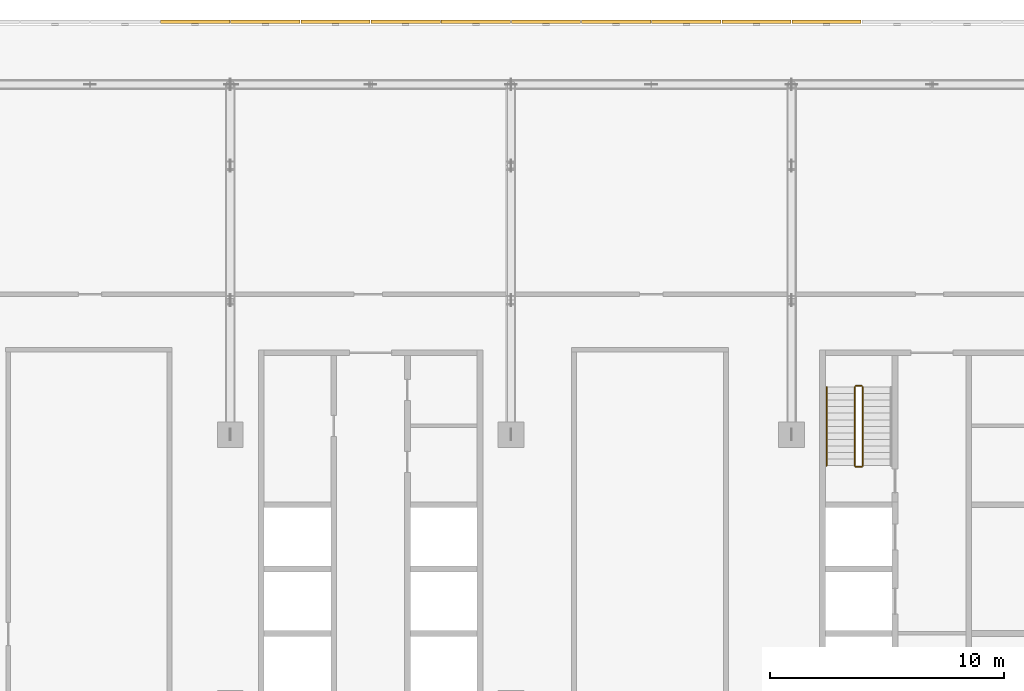
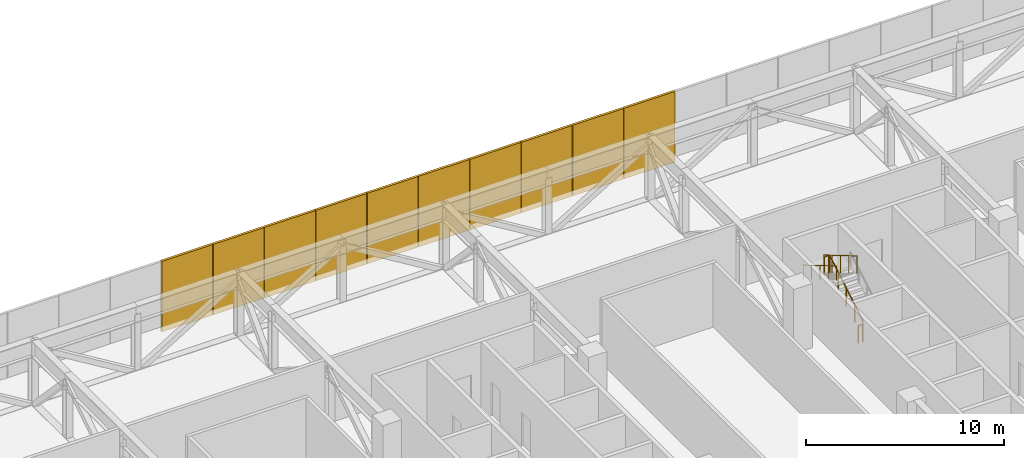
# One storey, part 26 of 28: 10 coverings, 5 railings.
"""IFC4 building model written with IfcOpenShell, lengths in metres."""

from ifc_helpers import new_model, si_unit, direction, frame, origin, origin_2d, place, context, subcontext, project, spatial, rectangle, circle, extrude, material, type_object, element, save


model = new_model("IFC4")

# Units and contexts
model_context = context("Model", 3, precision=1e-05, world=origin(), true_north=direction((0.0, 1.0)))
body_context = subcontext(model_context, "Body", "Model", "MODEL_VIEW")
ifc_project = project(units=[si_unit("LENGTHUNIT", "METRE"), si_unit("AREAUNIT", "SQUARE_METRE"), si_unit("VOLUMEUNIT", "CUBIC_METRE"), si_unit("PLANEANGLEUNIT", "RADIAN"), si_unit("MASSUNIT", "GRAM", prefix="KILO")], contexts=[model_context])

# Site, building, storey
site_placement = place(None, origin())
site = spatial("IfcSite", under=ifc_project, at=site_placement, CompositionType="ELEMENT")
building_placement = place(site_placement, origin())
building = spatial("IfcBuilding", under=site, at=building_placement, Name="Mahtab Terrace Research Tower", CompositionType="ELEMENT")
storey_placement = place(building_placement, frame((0.0, 0.0, 224.300048828125)))
storey = spatial("IfcBuildingStorey", under=building, at=storey_placement, Name="L54", CompositionType="ELEMENT", Elevation=224.300048828125)

# Coverings
ifc_material_1 = material(Name="Natural anodised aluminium", Category="aluminium")
covering_type = type_object("IfcCoveringType", Name="Plant storey louvre bay", PredefinedType="CLADDING", material=ifc_material_1)
for number, where, z_axis, x_axis, name in (
    (1, (19.5, 29.159912109375, -0.39990234375), (0.0, 0.0, 1.0), (-1.0, 0.0, 0.0), "Louvre bay L54 16"),
    (2, (16.5, 29.159912109375, -0.39990234375), (0.0, 0.0, 1.0), (-1.0, 0.0, 0.0), "Louvre bay L54 17"),
    (3, (13.5, 29.159912109375, -0.39990234375), (0.0, 0.0, 1.0), (-1.0, 0.0, 0.0), "Louvre bay L54 18"),
    (4, (10.5, 29.159912109375, -0.39990234375), (0.0, 0.0, 1.0), (-1.0, 0.0, 0.0), "Louvre bay L54 19"),
    (5, (7.5, 29.159912109375, -0.39990234375), (0.0, 0.0, 1.0), (-1.0, 0.0, 0.0), "Louvre bay L54 20"),
    (6, (4.5, 29.159912109375, -0.39990234375), (0.0, 0.0, 1.0), (-1.0, 0.0, 0.0), "Louvre bay L54 21"),
    (7, (1.5, 29.159912109375, -0.39990234375), (0.0, 0.0, 1.0), (-1.0, 0.0, 0.0), "Louvre bay L54 22"),
    (8, (-1.5, 29.159912109375, -0.39990234375), (0.0, 0.0, 1.0), (-1.0, 0.0, 0.0), "Louvre bay L54 23"),
    (9, (-4.5, 29.159912109375, -0.39990234375), (0.0, 0.0, 1.0), (-1.0, 0.0, 0.0), "Louvre bay L54 24"),
    (10, (-7.5, 29.159912109375, -0.39990234375), (0.0, 0.0, 1.0), (-1.0, 0.0, 0.0), "Louvre bay L54 25"),
):
    element("IfcCovering", number, at=place(storey_placement, frame(where, z_axis=z_axis, x_axis=x_axis)), inside=storey, type_object=covering_type, Name=name, PredefinedType="CLADDING", context=body_context, shape_type="SweptSolid", body=[
        extrude(rectangle(XDim=2.9599609375, YDim=0.139892578125, at=origin_2d()), origin(), (0.0, 0.0, 1.0), 4.360107421875),
    ])

# Railings
ifc_material_2 = material(Name="Stainless steel AISI 304", Category="steel")
railing_type_1 = type_object("IfcRailingType", Name="Stair guard 1100", PredefinedType="GUARDRAIL", material=ifc_material_2)
railing_1_placement = place(storey_placement, frame((21.050048828125, 10.175048828125, 0.165283203125)))
element("IfcRailing", 11, at=railing_1_placement, inside=storey, type_object=railing_type_1, Name="L54 ST3 stair guard 1", PredefinedType="GUARDRAIL", context=body_context, shape_type="SweptSolid", body=[
    extrude(circle(Radius=0.02392578125, at=origin_2d()), frame((0.0, 0.0, 1.076171875), z_axis=(0.0, 0.861011212953, 0.508585972249), x_axis=(-1.0, 0.0, 0.0)), (0.0, 0.0, 1.0), 3.90234375),
    extrude(circle(Radius=0.02099609375, at=origin_2d()), origin(), (0.0, 0.0, 1.0), 1.052001953125),
    extrude(circle(Radius=0.02099609375, at=origin_2d()), frame((0.0, 0.83984375, 0.49609375)), (0.0, 0.0, 1.0), 1.052001953125),
    extrude(circle(Radius=0.02099609375, at=origin_2d()), frame((0.0, 1.679931640625, 0.9921875)), (0.0, 0.0, 1.0), 1.052001953125),
    extrude(circle(Radius=0.02099609375, at=origin_2d()), frame((0.0, 2.52001953125, 1.488525390625)), (0.0, 0.0, 1.0), 1.052001953125),
    extrude(circle(Radius=0.02099609375, at=origin_2d()), frame((0.0, 3.35986328125, 1.984619140625)), (0.0, 0.0, 1.0), 1.052001953125),
])
railing_2_placement = place(storey_placement, frame((21.0, 13.5849609375, 2.14990234375)))
element("IfcRailing", 12, at=railing_2_placement, inside=storey, type_object=railing_type_1, Name="L54 ST3 stair guard 2", PredefinedType="GUARDRAIL", context=body_context, shape_type="SweptSolid", body=[
    extrude(circle(Radius=0.02392578125, at=origin_2d()), frame((0.0, 0.0, 1.076171875), z_axis=(-1.0, 0.0, 0.0), x_axis=(0.0, -1.0, 0.0)), (0.0, 0.0, 1.0), 0.25),
    extrude(circle(Radius=0.02099609375, at=origin_2d()), origin(), (0.0, 0.0, 1.0), 1.052001953125),
    extrude(circle(Radius=0.02099609375, at=origin_2d()), frame((-0.25, 0.0, 0.0)), (0.0, 0.0, 1.0), 1.052001953125),
])
railing_3_placement = place(storey_placement, frame((20.699951171875, 13.534912109375, 2.3154296875)))
element("IfcRailing", 13, at=railing_3_placement, inside=storey, type_object=railing_type_1, Name="L54 ST3 stair guard 3", PredefinedType="GUARDRAIL", context=body_context, shape_type="SweptSolid", body=[
    extrude(circle(Radius=0.02392578125, at=origin_2d()), frame((0.0, 0.0, 1.076171875), z_axis=(0.0, -0.861011212953, 0.508585972249), x_axis=(1.0, 0.0, 0.0)), (0.0, 0.0, 1.0), 3.90234375),
    extrude(circle(Radius=0.02099609375, at=origin_2d()), origin(), (0.0, 0.0, 1.0), 1.052001953125),
    extrude(circle(Radius=0.02099609375, at=origin_2d()), frame((0.0, -0.83984375, 0.49609375)), (0.0, 0.0, 1.0), 1.052001953125),
    extrude(circle(Radius=0.02099609375, at=origin_2d()), frame((0.0, -1.679931640625, 0.9921875)), (0.0, 0.0, 1.0), 1.052001953125),
    extrude(circle(Radius=0.02099609375, at=origin_2d()), frame((0.0, -2.52001953125, 1.488525390625)), (0.0, 0.0, 1.0), 1.052001953125),
    extrude(circle(Radius=0.02099609375, at=origin_2d()), frame((0.0, -3.35986328125, 1.984619140625)), (0.0, 0.0, 1.0), 1.052001953125),
])
railing_4_placement = place(storey_placement, frame((21.0, 10.125, 0.0)))
element("IfcRailing", 14, at=railing_4_placement, inside=storey, type_object=railing_type_1, Name="L54 ST3 stair guard 4", PredefinedType="GUARDRAIL", context=body_context, shape_type="SweptSolid", body=[
    extrude(circle(Radius=0.02392578125, at=origin_2d()), frame((0.0, 0.0, 1.076171875), z_axis=(-1.0, 0.0, 0.0), x_axis=(0.0, -1.0, 0.0)), (0.0, 0.0, 1.0), 0.25),
    extrude(circle(Radius=0.02099609375, at=origin_2d()), origin(), (0.0, 0.0, 1.0), 1.052001953125),
    extrude(circle(Radius=0.02099609375, at=origin_2d()), frame((-0.25, 0.0, 0.0)), (0.0, 0.0, 1.0), 1.052001953125),
])
railing_type_2 = type_object("IfcRailingType", Name="Stair handrail 900", PredefinedType="HANDRAIL", material=ifc_material_2)
railing_5_placement = place(storey_placement, frame((19.5, 13.534912109375, 2.3154296875)))
element("IfcRailing", 15, at=railing_5_placement, inside=storey, type_object=railing_type_2, Name="L54 ST3 stair handrail 2", PredefinedType="HANDRAIL", context=body_context, shape_type="SweptSolid", body=[
    extrude(circle(Radius=0.02392578125, at=origin_2d()), frame((0.0, 0.0, 0.8759765625), z_axis=(0.0, -0.861011212953, 0.508585972249), x_axis=(1.0, 0.0, 0.0)), (0.0, 0.0, 1.0), 3.90234375),
    extrude(circle(Radius=0.02099609375, at=origin_2d()), origin(), (0.0, 0.0, 1.0), 0.851806640625),
    extrude(circle(Radius=0.02099609375, at=origin_2d()), frame((0.0, -0.83984375, 0.49609375)), (0.0, 0.0, 1.0), 0.851806640625),
    extrude(circle(Radius=0.02099609375, at=origin_2d()), frame((0.0, -1.679931640625, 0.9921875)), (0.0, 0.0, 1.0), 0.851806640625),
    extrude(circle(Radius=0.02099609375, at=origin_2d()), frame((0.0, -2.52001953125, 1.488525390625)), (0.0, 0.0, 1.0), 0.851806640625),
    extrude(circle(Radius=0.02099609375, at=origin_2d()), frame((0.0, -3.35986328125, 1.984619140625)), (0.0, 0.0, 1.0), 0.851806640625),
])

save(model, "model.ifc")
